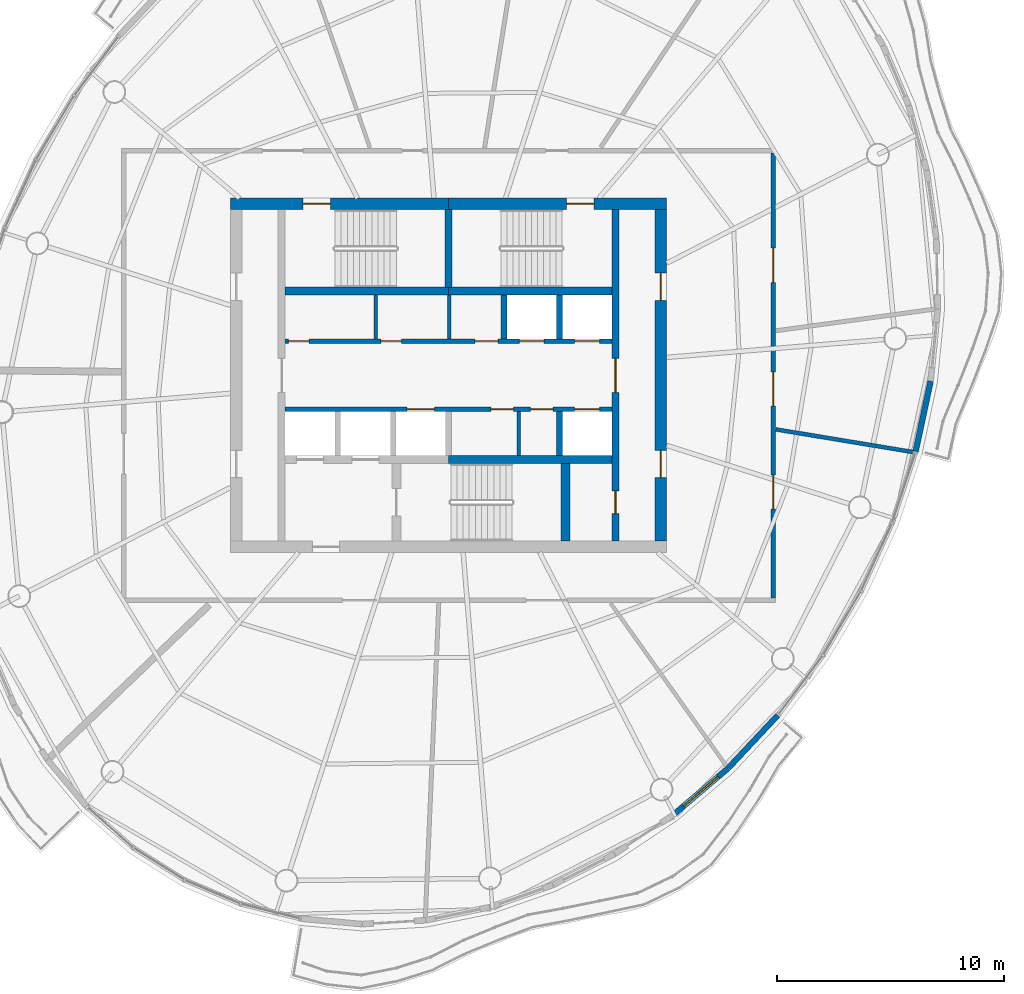
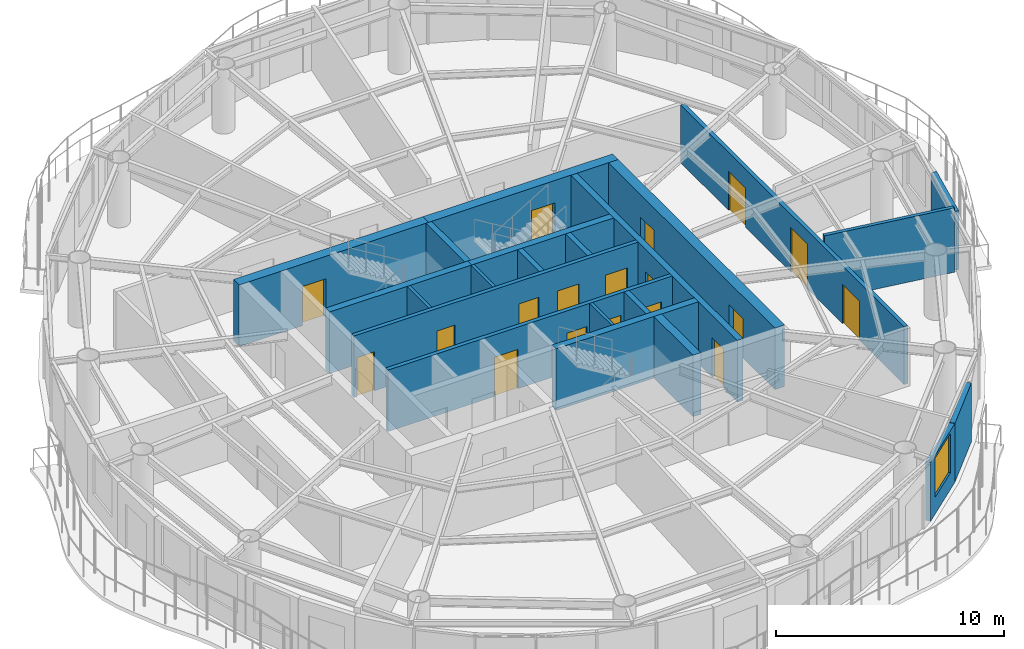
# One storey, part 8 of 13: 22 walls, 18 doors, 1 window, 19 openings.
"""IFC4 building model written with IfcOpenShell, lengths in metres."""

from ifc_helpers import new_model, si_unit, direction, frame, frame_2d, origin, place, context, subcontext, project, spatial, rectangle, extrude, material, layer, layer_set, type_object, element, fill, save


model = new_model("IFC4")

# Units and contexts
model_context = context("Model", 3, precision=1e-05, world=origin(), true_north=direction((0.0, 1.0)))
body_context = subcontext(model_context, "Body", "Model", "MODEL_VIEW")
ifc_project = project(units=[si_unit("LENGTHUNIT", "METRE"), si_unit("AREAUNIT", "SQUARE_METRE"), si_unit("VOLUMEUNIT", "CUBIC_METRE"), si_unit("PLANEANGLEUNIT", "RADIAN"), si_unit("MASSUNIT", "GRAM", prefix="KILO")], contexts=[model_context])

# Site, building, storey
site_placement = place(None, origin())
site = spatial("IfcSite", under=ifc_project, at=site_placement, CompositionType="ELEMENT")
building_placement = place(site_placement, origin())
building = spatial("IfcBuilding", under=site, at=building_placement, Name="Vermilion Reach Broadcast Tower", CompositionType="ELEMENT")
storey_placement = place(building_placement, frame((0.0, 0.0, 282.89990234375)))
storey = spatial("IfcBuildingStorey", under=building, at=storey_placement, Name="L70", CompositionType="ELEMENT", Elevation=282.89990234375)

# Wall, openings, doors
ifc_material_1 = material(Name="Concrete C50", Category="concrete")
ifc_layer_1 = layer(ifc_material_1, 0.300048828125)
ifc_layer_set_1 = layer_set([ifc_layer_1], Name="Core inner wall 300 mm Concrete C50")
wall_type_1 = type_object("IfcWallType", Name="Core inner wall 300 mm Concrete C50", PredefinedType="SHEAR", material=ifc_layer_set_1)
wall_1_placement = place(storey_placement, frame((1.35009765625, -7.300048828125, 0.0), z_axis=(0.0, 0.0, 1.0), x_axis=(0.0, 1.0, 0.0)))
wall_1 = element("IfcWall", 1, at=wall_1_placement, inside=storey, type_object=wall_type_1, Name="L70 core wall ewE", PredefinedType="SHEAR", context=body_context, shape_type="SweptSolid", body=[
    extrude(rectangle(XDim=14.60009765625, YDim=0.300048828125, at=frame_2d((7.300048828125, 0.0))), origin(), (0.0, 0.0, 1.0), 3.300048828125),
])
opening_1_placement = place(wall_1_placement, frame((1.2099609375, 0.0, 0.0)))
opening_1 = element("IfcOpeningElement", 2, at=opening_1_placement, cuts=wall_1, Name="Opening D05", PredefinedType="OPENING", context=body_context, shape_type="SweptSolid", body=[
    extrude(rectangle(XDim=1.0, YDim=2.10009765625, at=frame_2d((0.5, 1.050048828125))), frame((0.0, 0.159912109375, 0.0), z_axis=(0.0, -1.0, 0.0), x_axis=(1.0, 0.0, 0.0)), (0.0, 0.0, 1.0), 0.320068359375),
])
opening_2_placement = place(wall_1_placement, frame((6.550048828125, 0.0, 0.0)))
opening_2 = element("IfcOpeningElement", 3, at=opening_2_placement, cuts=wall_1, Name="Opening D04", PredefinedType="OPENING", context=body_context, shape_type="SweptSolid", body=[
    extrude(rectangle(XDim=1.5, YDim=2.10009765625, at=frame_2d((0.75, 1.050048828125))), frame((0.0, 0.159912109375, 0.0), z_axis=(0.0, -1.0, 0.0), x_axis=(1.0, 0.0, 0.0)), (0.0, 0.0, 1.0), 0.320068359375),
])
ifc_material_2 = material(Name="Painted steel fire door", Category="steel")
door_type_1 = type_object("IfcDoorType", Name="Lift lobby door 1500 x 2100", OperationType="DOUBLE_DOOR_SINGLE_SWING", PredefinedType="NOTDEFINED", material=ifc_material_2)
door_1_placement = place(opening_2_placement, origin())
door_1 = element("IfcDoor", 4, at=door_1_placement, inside=storey, type_object=door_type_1, Name="L70 band door BE", OperationType="DOUBLE_DOOR_SINGLE_SWING", OverallHeight=2.10009765625, OverallWidth=1.5, PredefinedType="NOTDEFINED", context=body_context, shape_type="SweptSolid", body=[
    extrude(rectangle(XDim=1.5, YDim=2.10009765625, at=frame_2d((0.75, 1.050048828125))), frame((0.0, 0.02490234375, 0.0), z_axis=(0.0, -1.0, 0.0), x_axis=(1.0, 0.0, 0.0)), (0.0, 0.0, 1.0), 0.050048828125),
])
fill(opening_2, door_1)
ifc_material_3 = material(Name="Timber door", Category="wood")
door_type_2 = type_object("IfcDoorType", Name="Room door 1000 x 2100", OperationType="NOTDEFINED", PredefinedType="NOTDEFINED", material=ifc_material_3)
door_2_placement = place(opening_1_placement, origin())
door_2 = element("IfcDoor", 5, at=door_2_placement, inside=storey, type_object=door_type_2, Name="L70 door SER", OperationType="SINGLE_SWING_LEFT", OverallHeight=2.10009765625, OverallWidth=1.0, PredefinedType="NOTDEFINED", context=body_context, shape_type="SweptSolid", body=[
    extrude(rectangle(XDim=1.0, YDim=2.10009765625, at=frame_2d((0.5, 1.050048828125))), frame((0.0, 0.02490234375, 0.0), z_axis=(0.0, -1.0, 0.0), x_axis=(1.0, 0.0, 0.0)), (0.0, 0.0, 1.0), 0.050048828125),
])
fill(opening_1, door_2)

# Walls
wall_2_placement = place(storey_placement, frame((-6.0, 3.8798828125, 0.0), z_axis=(0.0, 0.0, 1.0), x_axis=(0.0, 1.0, 0.0)))
element("IfcWall", 6, at=wall_2_placement, inside=storey, type_object=wall_type_1, Name="L70 core wall wc", PredefinedType="SHEAR", context=body_context, shape_type="SweptSolid", body=[
    extrude(rectangle(XDim=3.420166015625, YDim=0.300048828125, at=frame_2d((1.7099609375, 0.0))), origin(), (0.0, 0.0, 1.0), 3.300048828125),
])
ifc_material_4 = material(Name="Concrete C50", Category="concrete")
ifc_layer_2 = layer(ifc_material_4, 0.35009765625)
ifc_layer_set_2 = layer_set([ifc_layer_2], Name="Core inner wall 350 mm Concrete C50")
wall_type_2 = type_object("IfcWallType", Name="Core inner wall 350 mm Concrete C50", PredefinedType="SHEAR", material=ifc_layer_set_2)
for number, where, z_axis, x_axis, name in (
    (7, (-13.199951171875, 3.705078125, 0.0), (0.0, 0.0, 1.0), (1.0, 0.0, 0.0), "L70 core wall winW"),
    (8, (-6.0, 3.705078125, 0.0), (0.0, 0.0, 1.0), (1.0, 0.0, 0.0), "L70 core wall winE"),
    (9, (-6.0, -3.705078125, 0.0), (0.0, 0.0, 1.0), (1.0, 0.0, 0.0), "L70 core wall wisE"),
):
    element("IfcWall", number, at=place(storey_placement, frame(where, z_axis=z_axis, x_axis=x_axis)), inside=storey, type_object=wall_type_2, Name=name, PredefinedType="SHEAR", context=body_context, shape_type="SweptSolid", body=[
        extrude(rectangle(XDim=7.199951171875, YDim=0.35009765625, at=frame_2d((3.60009765625, 0.0))), origin(), (0.0, 0.0, 1.0), 3.300048828125),
    ])
ifc_material_5 = material(Name="Concrete C50", Category="concrete")
ifc_layer_3 = layer(ifc_material_5, 0.39990234375)
ifc_layer_set_3 = layer_set([ifc_layer_3], Name="Core inner wall 400 mm Concrete C50")
wall_type_3 = type_object("IfcWallType", Name="Core inner wall 400 mm Concrete C50", PredefinedType="SHEAR", material=ifc_layer_set_3)
wall_3_placement = place(storey_placement, frame((-0.85009765625, -3.8798828125, 0.0), z_axis=(0.0, 0.0, 1.0), x_axis=(0.0, -1.0, 0.0)))
element("IfcWall", 10, at=wall_3_placement, inside=storey, type_object=wall_type_3, Name="L70 core wall wb", PredefinedType="SHEAR", context=body_context, shape_type="SweptSolid", body=[
    extrude(rectangle(XDim=3.420166015625, YDim=0.39990234375, at=frame_2d((1.7099609375, 0.0))), origin(), (0.0, 0.0, 1.0), 3.300048828125),
])

# Wall, opening, door
ifc_material_6 = material(Name="Concrete C50", Category="concrete")
ifc_layer_4 = layer(ifc_material_6, 0.5)
ifc_layer_set_4 = layer_set([ifc_layer_4], Name="Core outer wall 500 mm Concrete C50")
wall_type_4 = type_object("IfcWallType", Name="Core outer wall 500 mm Concrete C50", PredefinedType="SHEAR", material=ifc_layer_set_4)
wall_4_placement = place(storey_placement, frame((3.60009765625, 7.550048828125, 0.0), z_axis=(0.0, 0.0, 1.0), x_axis=(-1.0, 0.0, 0.0)))
wall_4 = element("IfcWall", 11, at=wall_4_placement, inside=storey, type_object=wall_type_4, Name="L70 core wall onE", PredefinedType="SHEAR", context=body_context, shape_type="SweptSolid", body=[
    extrude(rectangle(XDim=9.60009765625, YDim=0.5, at=frame_2d((4.800048828125, 0.0))), origin(), (0.0, 0.0, 1.0), 3.300048828125),
])
opening_3_placement = place(wall_4_placement, frame((3.199951171875, 0.0, 0.0)))
opening_3 = element("IfcOpeningElement", 12, at=opening_3_placement, cuts=wall_4, Name="Opening D01", PredefinedType="OPENING", context=body_context, shape_type="SweptSolid", body=[
    extrude(rectangle(XDim=1.199951171875, YDim=2.10009765625, at=frame_2d((0.60009765625, 1.050048828125))), frame((0.0, 0.260009765625, 0.0), z_axis=(0.0, -1.0, 0.0), x_axis=(1.0, 0.0, 0.0)), (0.0, 0.0, 1.0), 0.52001953125),
])
ifc_material_7 = material(Name="Painted steel fire door", Category="steel")
door_type_3 = type_object("IfcDoorType", Name="Stair door 1200 x 2100", OperationType="DOUBLE_DOOR_SINGLE_SWING", PredefinedType="NOTDEFINED", material=ifc_material_7)
door_3_placement = place(opening_3_placement, origin())
door_3 = element("IfcDoor", 13, at=door_3_placement, inside=storey, type_object=door_type_3, Name="L70 stair door ST2", OperationType="DOUBLE_DOOR_SINGLE_SWING", OverallHeight=2.10009765625, OverallWidth=1.199951171875, PredefinedType="NOTDEFINED", context=body_context, shape_type="SweptSolid", body=[
    extrude(rectangle(XDim=1.199951171875, YDim=2.10009765625, at=frame_2d((0.60009765625, 1.050048828125))), frame((0.0, 0.02490234375, 0.0), z_axis=(0.0, -1.0, 0.0), x_axis=(1.0, 0.0, 0.0)), (0.0, 0.0, 1.0), 0.050048828125),
])
fill(opening_3, door_3)

wall_5_placement = place(storey_placement, frame((-6.0, 7.550048828125, 0.0), z_axis=(0.0, 0.0, 1.0), x_axis=(-1.0, 0.0, 0.0)))
wall_5 = element("IfcWall", 14, at=wall_5_placement, inside=storey, type_object=wall_type_4, Name="L70 core wall onW", PredefinedType="SHEAR", context=body_context, shape_type="SweptSolid", body=[
    extrude(rectangle(XDim=9.60009765625, YDim=0.5, at=frame_2d((4.800048828125, 0.0))), origin(), (0.0, 0.0, 1.0), 3.300048828125),
])
opening_4_placement = place(wall_5_placement, frame((5.199951171875, 0.0, 0.0)))
opening_4 = element("IfcOpeningElement", 15, at=opening_4_placement, cuts=wall_5, Name="Opening D01", PredefinedType="OPENING", context=body_context, shape_type="SweptSolid", body=[
    extrude(rectangle(XDim=1.199951171875, YDim=2.10009765625, at=frame_2d((0.60009765625, 1.050048828125))), frame((0.0, 0.260009765625, 0.0), z_axis=(0.0, -1.0, 0.0), x_axis=(1.0, 0.0, 0.0)), (0.0, 0.0, 1.0), 0.52001953125),
])
door_4_placement = place(opening_4_placement, origin())
door_4 = element("IfcDoor", 16, at=door_4_placement, inside=storey, type_object=door_type_3, Name="L70 stair door ST1", OperationType="DOUBLE_DOOR_SINGLE_SWING", OverallHeight=2.10009765625, OverallWidth=1.199951171875, PredefinedType="NOTDEFINED", context=body_context, shape_type="SweptSolid", body=[
    extrude(rectangle(XDim=1.199951171875, YDim=2.10009765625, at=frame_2d((0.60009765625, 1.050048828125))), frame((0.0, 0.02490234375, 0.0), z_axis=(0.0, -1.0, 0.0), x_axis=(1.0, 0.0, 0.0)), (0.0, 0.0, 1.0), 0.050048828125),
])
fill(opening_4, door_4)

# Wall, openings, doors
wall_6_placement = place(storey_placement, frame((3.35009765625, -7.300048828125, 0.0), z_axis=(0.0, 0.0, 1.0), x_axis=(0.0, 1.0, 0.0)))
wall_6 = element("IfcWall", 17, at=wall_6_placement, inside=storey, type_object=wall_type_4, Name="L70 core wall oe", PredefinedType="SHEAR", context=body_context, shape_type="SweptSolid", body=[
    extrude(rectangle(XDim=14.60009765625, YDim=0.5, at=frame_2d((7.300048828125, 0.0))), origin(), (0.0, 0.0, 1.0), 3.300048828125),
])
opening_5_placement = place(wall_6_placement, frame((2.800048828125, 0.0, 0.0)))
opening_5 = element("IfcOpeningElement", 18, at=opening_5_placement, cuts=wall_6, Name="Opening D03", PredefinedType="OPENING", context=body_context, shape_type="SweptSolid", body=[
    extrude(rectangle(XDim=1.199951171875, YDim=2.10009765625, at=frame_2d((0.60009765625, 1.050048828125))), frame((0.0, 0.260009765625, 0.0), z_axis=(0.0, -1.0, 0.0), x_axis=(1.0, 0.0, 0.0)), (0.0, 0.0, 1.0), 0.52001953125),
])
opening_6_placement = place(wall_6_placement, frame((10.60009765625, 0.0, 0.0)))
opening_6 = element("IfcOpeningElement", 19, at=opening_6_placement, cuts=wall_6, Name="Opening D03", PredefinedType="OPENING", context=body_context, shape_type="SweptSolid", body=[
    extrude(rectangle(XDim=1.199951171875, YDim=2.10009765625, at=frame_2d((0.60009765625, 1.050048828125))), frame((0.0, 0.260009765625, 0.0), z_axis=(0.0, -1.0, 0.0), x_axis=(1.0, 0.0, 0.0)), (0.0, 0.0, 1.0), 0.52001953125),
])
ifc_material_8 = material(Name="Painted steel fire door", Category="steel")
door_type_4 = type_object("IfcDoorType", Name="Core lobby door 1200 x 2100", OperationType="DOUBLE_DOOR_SINGLE_SWING", PredefinedType="NOTDEFINED", material=ifc_material_8)
door_5_placement = place(opening_5_placement, origin())
door_5 = element("IfcDoor", 20, at=door_5_placement, inside=storey, type_object=door_type_4, Name="L70 slot door E0", OperationType="DOUBLE_DOOR_SINGLE_SWING", OverallHeight=2.10009765625, OverallWidth=1.199951171875, PredefinedType="NOTDEFINED", context=body_context, shape_type="SweptSolid", body=[
    extrude(rectangle(XDim=1.199951171875, YDim=2.10009765625, at=frame_2d((0.60009765625, 1.050048828125))), frame((0.0, 0.02490234375, 0.0), z_axis=(0.0, -1.0, 0.0), x_axis=(1.0, 0.0, 0.0)), (0.0, 0.0, 1.0), 0.050048828125),
])
fill(opening_5, door_5)
door_6_placement = place(opening_6_placement, origin())
door_6 = element("IfcDoor", 21, at=door_6_placement, inside=storey, type_object=door_type_4, Name="L70 slot door E1", OperationType="DOUBLE_DOOR_SINGLE_SWING", OverallHeight=2.10009765625, OverallWidth=1.199951171875, PredefinedType="NOTDEFINED", context=body_context, shape_type="SweptSolid", body=[
    extrude(rectangle(XDim=1.199951171875, YDim=2.10009765625, at=frame_2d((0.60009765625, 1.050048828125))), frame((0.0, 0.02490234375, 0.0), z_axis=(0.0, -1.0, 0.0), x_axis=(1.0, 0.0, 0.0)), (0.0, 0.0, 1.0), 0.050048828125),
])
fill(opening_6, door_6)

# Walls
ifc_material_9 = material(Name="Masonry block", Category="masonry")
ifc_layer_5 = layer(ifc_material_9, 0.14990234375)
ifc_layer_set_5 = layer_set([ifc_layer_5], Name="Core partition wall 150 mm Masonry block")
wall_type_5 = type_object("IfcWallType", Name="Core partition wall 150 mm Masonry block", PredefinedType="PARTITIONING", material=ifc_layer_set_5)
for number, where, z_axis, x_axis, name in (
    (22, (-9.202880859375, 1.60009765625, 0.0), (0.0, 0.0, 1.0), (0.0, 1.0, 0.0), "L70 core wall prN-3203"),
    (23, (-5.96728515625, 1.60009765625, 0.0), (0.0, 0.0, 1.0), (0.0, 1.0, 0.0), "L70 core wall prN33"),
    (24, (-2.90966796875, -1.60009765625, 0.0), (0.0, 0.0, 1.0), (0.0, -1.0, 0.0), "L70 core wall prS3090"),
):
    element("IfcWall", number, at=place(storey_placement, frame(where, z_axis=z_axis, x_axis=x_axis)), inside=storey, type_object=wall_type_5, Name=name, PredefinedType="PARTITIONING", context=body_context, shape_type="SweptSolid", body=[
        extrude(rectangle(XDim=1.929931640625, YDim=0.14990234375, at=frame_2d((0.96484375, 0.0))), origin(), (0.0, 0.0, 1.0), 3.300048828125),
    ])

# Wall, openings, doors
ifc_material_10 = material(Name="Concrete C50", Category="concrete")
ifc_layer_6 = layer(ifc_material_10, 0.199951171875)
ifc_layer_set_6 = layer_set([ifc_layer_6], Name="Core shaft wall 200 mm Concrete C50")
wall_type_6 = type_object("IfcWallType", Name="Core shaft wall 200 mm Concrete C50", PredefinedType="SHEAR", material=ifc_layer_set_6)
wall_7_placement = place(storey_placement, frame((-13.199951171875, 1.5, 0.0), z_axis=(0.0, 0.0, 1.0), x_axis=(1.0, 0.0, 0.0)))
wall_7 = element("IfcWall", 25, at=wall_7_placement, inside=storey, type_object=wall_type_6, Name="L70 core wall fn", PredefinedType="SHEAR", context=body_context, shape_type="SweptSolid", body=[
    extrude(rectangle(XDim=14.39990234375, YDim=0.199951171875, at=frame_2d((7.199951171875, 0.0))), origin(), (0.0, 0.0, 1.0), 3.300048828125),
])
opening_7_placement = place(wall_7_placement, frame((10.3125, 0.0, 0.0)))
opening_7 = element("IfcOpeningElement", 26, at=opening_7_placement, cuts=wall_7, Name="Opening LD2", PredefinedType="OPENING", context=body_context, shape_type="SweptSolid", body=[
    extrude(rectangle(XDim=1.10009765625, YDim=2.10009765625, at=frame_2d((0.550048828125, 1.050048828125))), frame((0.0, 0.10986328125, 0.0), z_axis=(0.0, -1.0, 0.0), x_axis=(1.0, 0.0, 0.0)), (0.0, 0.0, 1.0), 0.219970703125),
])
opening_8_placement = place(wall_7_placement, frame((12.754150390625, 0.0, 0.0)))
opening_8 = element("IfcOpeningElement", 27, at=opening_8_placement, cuts=wall_7, Name="Opening LD2", PredefinedType="OPENING", context=body_context, shape_type="SweptSolid", body=[
    extrude(rectangle(XDim=1.10009765625, YDim=2.10009765625, at=frame_2d((0.550048828125, 1.050048828125))), frame((0.0, 0.10986328125, 0.0), z_axis=(0.0, -1.0, 0.0), x_axis=(1.0, 0.0, 0.0)), (0.0, 0.0, 1.0), 0.219970703125),
])
opening_9_placement = place(wall_7_placement, frame((0.14990234375, 0.0, 0.0)))
opening_9 = element("IfcOpeningElement", 28, at=opening_9_placement, cuts=wall_7, Name="Opening D06", PredefinedType="OPENING", context=body_context, shape_type="SweptSolid", body=[
    extrude(rectangle(XDim=0.89990234375, YDim=2.10009765625, at=frame_2d((0.449951171875, 1.050048828125))), frame((0.0, 0.10986328125, 0.0), z_axis=(0.0, -1.0, 0.0), x_axis=(1.0, 0.0, 0.0)), (0.0, 0.0, 1.0), 0.219970703125),
])
opening_10_placement = place(wall_7_placement, frame((4.221923828125, 0.0, 0.0)))
opening_10 = element("IfcOpeningElement", 29, at=opening_10_placement, cuts=wall_7, Name="Opening D06", PredefinedType="OPENING", context=body_context, shape_type="SweptSolid", body=[
    extrude(rectangle(XDim=0.89990234375, YDim=2.10009765625, at=frame_2d((0.449951171875, 1.050048828125))), frame((0.0, 0.10986328125, 0.0), z_axis=(0.0, -1.0, 0.0), x_axis=(1.0, 0.0, 0.0)), (0.0, 0.0, 1.0), 0.219970703125),
])
opening_11_placement = place(wall_7_placement, frame((8.36669921875, 0.0, 0.0)))
opening_11 = element("IfcOpeningElement", 30, at=opening_11_placement, cuts=wall_7, Name="Opening D10", PredefinedType="OPENING", context=body_context, shape_type="SweptSolid", body=[
    extrude(rectangle(XDim=1.0, YDim=2.10009765625, at=frame_2d((0.5, 1.050048828125))), frame((0.0, 0.10986328125, 0.0), z_axis=(0.0, -1.0, 0.0), x_axis=(1.0, 0.0, 0.0)), (0.0, 0.0, 1.0), 0.219970703125),
])
ifc_material_11 = material(Name="Stainless steel", Category="steel")
door_type_5 = type_object("IfcDoorType", Name="Landing door 1100 x 2100", OperationType="DOUBLE_DOOR_SLIDING", PredefinedType="NOTDEFINED", material=ifc_material_11)
door_7_placement = place(opening_7_placement, origin())
door_7 = element("IfcDoor", 31, at=door_7_placement, inside=storey, type_object=door_type_5, Name="L70 landing door HR1", OperationType="DOUBLE_DOOR_SLIDING", OverallHeight=2.10009765625, OverallWidth=1.10009765625, PredefinedType="NOTDEFINED", context=body_context, shape_type="SweptSolid", body=[
    extrude(rectangle(XDim=1.10009765625, YDim=2.10009765625, at=frame_2d((0.550048828125, 1.050048828125))), frame((0.0, 0.02490234375, 0.0), z_axis=(0.0, -1.0, 0.0), x_axis=(1.0, 0.0, 0.0)), (0.0, 0.0, 1.0), 0.050048828125),
])
fill(opening_7, door_7)
door_8_placement = place(opening_8_placement, origin())
door_8 = element("IfcDoor", 32, at=door_8_placement, inside=storey, type_object=door_type_5, Name="L70 landing door HR2", OperationType="DOUBLE_DOOR_SLIDING", OverallHeight=2.10009765625, OverallWidth=1.10009765625, PredefinedType="NOTDEFINED", context=body_context, shape_type="SweptSolid", body=[
    extrude(rectangle(XDim=1.10009765625, YDim=2.10009765625, at=frame_2d((0.550048828125, 1.050048828125))), frame((0.0, 0.02490234375, 0.0), z_axis=(0.0, -1.0, 0.0), x_axis=(1.0, 0.0, 0.0)), (0.0, 0.0, 1.0), 0.050048828125),
])
fill(opening_8, door_8)
ifc_material_12 = material(Name="Timber door", Category="wood")
door_type_6 = type_object("IfcDoorType", Name="WC door 900 x 2100", OperationType="NOTDEFINED", PredefinedType="NOTDEFINED", material=ifc_material_12)
door_9_placement = place(opening_9_placement, origin())
door_9 = element("IfcDoor", 33, at=door_9_placement, inside=storey, type_object=door_type_6, Name="L70 door Female WC", OperationType="SINGLE_SWING_LEFT", OverallHeight=2.10009765625, OverallWidth=0.89990234375, PredefinedType="NOTDEFINED", context=body_context, shape_type="SweptSolid", body=[
    extrude(rectangle(XDim=0.89990234375, YDim=2.10009765625, at=frame_2d((0.449951171875, 1.050048828125))), frame((0.0, 0.02490234375, 0.0), z_axis=(0.0, -1.0, 0.0), x_axis=(1.0, 0.0, 0.0)), (0.0, 0.0, 1.0), 0.050048828125),
])
fill(opening_9, door_9)
door_10_placement = place(opening_10_placement, origin())
door_10 = element("IfcDoor", 34, at=door_10_placement, inside=storey, type_object=door_type_6, Name="L70 door Male WC", OperationType="SINGLE_SWING_LEFT", OverallHeight=2.10009765625, OverallWidth=0.89990234375, PredefinedType="NOTDEFINED", context=body_context, shape_type="SweptSolid", body=[
    extrude(rectangle(XDim=0.89990234375, YDim=2.10009765625, at=frame_2d((0.449951171875, 1.050048828125))), frame((0.0, 0.02490234375, 0.0), z_axis=(0.0, -1.0, 0.0), x_axis=(1.0, 0.0, 0.0)), (0.0, 0.0, 1.0), 0.050048828125),
])
fill(opening_10, door_10)
ifc_material_13 = material(Name="Timber door", Category="wood")
door_type_7 = type_object("IfcDoorType", Name="WC lobby door 1000 x 2100", OperationType="NOTDEFINED", PredefinedType="NOTDEFINED", material=ifc_material_13)
door_11_placement = place(opening_11_placement, origin())
door_11 = element("IfcDoor", 35, at=door_11_placement, inside=storey, type_object=door_type_7, Name="L70 door WC lobby", OperationType="SINGLE_SWING_RIGHT", OverallHeight=2.10009765625, OverallWidth=1.0, PredefinedType="NOTDEFINED", context=body_context, shape_type="SweptSolid", body=[
    extrude(rectangle(XDim=1.0, YDim=2.10009765625, at=frame_2d((0.5, 1.050048828125))), frame((0.0, 0.02490234375, 0.0), z_axis=(0.0, -1.0, 0.0), x_axis=(1.0, 0.0, 0.0)), (0.0, 0.0, 1.0), 0.050048828125),
])
fill(opening_11, door_11)

wall_8_placement = place(storey_placement, frame((1.199951171875, -1.5, 0.0), z_axis=(0.0, 0.0, 1.0), x_axis=(-1.0, 0.0, 0.0)))
wall_8 = element("IfcWall", 36, at=wall_8_placement, inside=storey, type_object=wall_type_6, Name="L70 core wall fs", PredefinedType="SHEAR", context=body_context, shape_type="SweptSolid", body=[
    extrude(rectangle(XDim=14.39990234375, YDim=0.199951171875, at=frame_2d((7.199951171875, 0.0))), origin(), (0.0, 0.0, 1.0), 3.300048828125),
])
opening_12_placement = place(wall_8_placement, frame((7.82080078125, 0.0, 0.0)))
opening_12 = element("IfcOpeningElement", 37, at=opening_12_placement, cuts=wall_8, Name="Opening LD1", PredefinedType="OPENING", context=body_context, shape_type="SweptSolid", body=[
    extrude(rectangle(XDim=1.199951171875, YDim=2.10009765625, at=frame_2d((0.60009765625, 1.050048828125))), frame((0.0, 0.10986328125, 0.0), z_axis=(0.0, -1.0, 0.0), x_axis=(1.0, 0.0, 0.0)), (0.0, 0.0, 1.0), 0.219970703125),
])
opening_13_placement = place(wall_8_placement, frame((0.5458984375, 0.0, 0.0)))
opening_13 = element("IfcOpeningElement", 38, at=opening_13_placement, cuts=wall_8, Name="Opening LD2", PredefinedType="OPENING", context=body_context, shape_type="SweptSolid", body=[
    extrude(rectangle(XDim=1.10009765625, YDim=2.10009765625, at=frame_2d((0.550048828125, 1.050048828125))), frame((0.0, 0.10986328125, 0.0), z_axis=(0.0, -1.0, 0.0), x_axis=(1.0, 0.0, 0.0)), (0.0, 0.0, 1.0), 0.219970703125),
])
opening_14_placement = place(wall_8_placement, frame((4.334716796875, 0.0, 0.0)))
opening_14 = element("IfcOpeningElement", 39, at=opening_14_placement, cuts=wall_8, Name="Opening D07", PredefinedType="OPENING", context=body_context, shape_type="SweptSolid", body=[
    extrude(rectangle(XDim=1.0, YDim=2.10009765625, at=frame_2d((0.5, 1.050048828125))), frame((0.0, 0.10986328125, 0.0), z_axis=(0.0, -1.0, 0.0), x_axis=(1.0, 0.0, 0.0)), (0.0, 0.0, 1.0), 0.219970703125),
])
opening_15_placement = place(wall_8_placement, frame((2.591552734375, 0.0, 0.0)))
opening_15 = element("IfcOpeningElement", 40, at=opening_15_placement, cuts=wall_8, Name="Opening D11", PredefinedType="OPENING", context=body_context, shape_type="SweptSolid", body=[
    extrude(rectangle(XDim=1.0, YDim=2.10009765625, at=frame_2d((0.5, 1.050048828125))), frame((0.0, 0.10986328125, 0.0), z_axis=(0.0, -1.0, 0.0), x_axis=(1.0, 0.0, 0.0)), (0.0, 0.0, 1.0), 0.219970703125),
])
ifc_material_14 = material(Name="Timber door", Category="wood")
door_type_8 = type_object("IfcDoorType", Name="Accessible WC door 1000 x 2100", OperationType="NOTDEFINED", PredefinedType="NOTDEFINED", material=ifc_material_14)
door_12_placement = place(opening_14_placement, origin())
door_12 = element("IfcDoor", 41, at=door_12_placement, inside=storey, type_object=door_type_8, Name="L70 door Accessible WC", OperationType="SINGLE_SWING_LEFT", OverallHeight=2.10009765625, OverallWidth=1.0, PredefinedType="NOTDEFINED", context=body_context, shape_type="SweptSolid", body=[
    extrude(rectangle(XDim=1.0, YDim=2.10009765625, at=frame_2d((0.5, 1.050048828125))), frame((0.0, 0.02490234375, 0.0), z_axis=(0.0, -1.0, 0.0), x_axis=(1.0, 0.0, 0.0)), (0.0, 0.0, 1.0), 0.050048828125),
])
fill(opening_14, door_12)
door_13_placement = place(opening_13_placement, origin())
door_13 = element("IfcDoor", 42, at=door_13_placement, inside=storey, type_object=door_type_5, Name="L70 landing door HR3", OperationType="DOUBLE_DOOR_SLIDING", OverallHeight=2.10009765625, OverallWidth=1.10009765625, PredefinedType="NOTDEFINED", context=body_context, shape_type="SweptSolid", body=[
    extrude(rectangle(XDim=1.10009765625, YDim=2.10009765625, at=frame_2d((0.550048828125, 1.050048828125))), frame((0.0, 0.02490234375, 0.0), z_axis=(0.0, -1.0, 0.0), x_axis=(1.0, 0.0, 0.0)), (0.0, 0.0, 1.0), 0.050048828125),
])
fill(opening_13, door_13)
ifc_material_15 = material(Name="Stainless steel", Category="steel")
door_type_9 = type_object("IfcDoorType", Name="Landing door 1200 x 2100", OperationType="DOUBLE_DOOR_SLIDING", PredefinedType="NOTDEFINED", material=ifc_material_15)
door_14_placement = place(opening_12_placement, origin())
door_14 = element("IfcDoor", 43, at=door_14_placement, inside=storey, type_object=door_type_9, Name="L70 landing door SV1", OperationType="DOUBLE_DOOR_SLIDING", OverallHeight=2.10009765625, OverallWidth=1.199951171875, PredefinedType="NOTDEFINED", context=body_context, shape_type="SweptSolid", body=[
    extrude(rectangle(XDim=1.199951171875, YDim=2.10009765625, at=frame_2d((0.60009765625, 1.050048828125))), frame((0.0, 0.02490234375, 0.0), z_axis=(0.0, -1.0, 0.0), x_axis=(1.0, 0.0, 0.0)), (0.0, 0.0, 1.0), 0.050048828125),
])
fill(opening_12, door_14)
ifc_material_16 = material(Name="Painted steel fire door", Category="steel")
door_type_10 = type_object("IfcDoorType", Name="Services room door 1000 x 2100", OperationType="NOTDEFINED", PredefinedType="NOTDEFINED", material=ifc_material_16)
door_15_placement = place(opening_15_placement, origin())
door_15 = element("IfcDoor", 44, at=door_15_placement, inside=storey, type_object=door_type_10, Name="L70 door Electrical room", OperationType="SINGLE_SWING_LEFT", OverallHeight=2.10009765625, OverallWidth=1.0, PredefinedType="NOTDEFINED", context=body_context, shape_type="SweptSolid", body=[
    extrude(rectangle(XDim=1.0, YDim=2.10009765625, at=frame_2d((0.5, 1.050048828125))), frame((0.0, 0.02490234375, 0.0), z_axis=(0.0, -1.0, 0.0), x_axis=(1.0, 0.0, 0.0)), (0.0, 0.0, 1.0), 0.050048828125),
])
fill(opening_15, door_15)

# Walls
ifc_material_17 = material(Name="Concrete C50", Category="concrete")
ifc_layer_7 = layer(ifc_material_17, 0.25)
ifc_layer_set_7 = layer_set([ifc_layer_7], Name="Core shaft wall 250 mm Concrete C50")
wall_type_7 = type_object("IfcWallType", Name="Core shaft wall 250 mm Concrete C50", PredefinedType="SHEAR", material=ifc_layer_set_7)
for number, where, z_axis, x_axis, name in (
    (45, (-3.558349609375, 1.60009765625, 0.0), (0.0, 0.0, 1.0), (0.0, 1.0, 0.0), "L70 core wall psN3"),
    (46, (-1.11669921875, 1.60009765625, 0.0), (0.0, 0.0, 1.0), (0.0, 1.0, 0.0), "L70 core wall psN4"),
    (47, (-1.11669921875, -1.60009765625, 0.0), (0.0, 0.0, 1.0), (0.0, -1.0, 0.0), "L70 core wall psS4"),
):
    element("IfcWall", number, at=place(storey_placement, frame(where, z_axis=z_axis, x_axis=x_axis)), inside=storey, type_object=wall_type_7, Name=name, PredefinedType="SHEAR", context=body_context, shape_type="SweptSolid", body=[
        extrude(rectangle(XDim=1.929931640625, YDim=0.25, at=frame_2d((0.96484375, 0.0))), origin(), (0.0, 0.0, 1.0), 3.300048828125),
    ])
ifc_material_18 = material(Name="Fire-rated block, plastered")
ifc_layer_8 = layer(ifc_material_18, 0.175048828125)
ifc_layer_set_8 = layer_set([ifc_layer_8], Name="Partition 175 fire-rated block")
wall_type_8 = type_object("IfcWallType", Name="Partition 175 fire-rated block", PredefinedType="PARTITIONING", material=ifc_layer_set_8)
wall_9_placement = place(storey_placement, frame((14.43212890625, -3.37353515625, 0.0), z_axis=(0.0, 0.0, 1.0), x_axis=(-0.986640542302, 0.162912369961, 0.0)))
element("IfcWall", 48, at=wall_9_placement, inside=storey, type_object=wall_type_8, Name="Partition 70.07", PredefinedType="PARTITIONING", context=body_context, shape_type="SweptSolid", body=[
    extrude(rectangle(XDim=6.099365234375, YDim=0.175048828125, at=frame_2d((3.0498046875, 0.0))), origin(), (0.0, 0.0, 1.0), 3.4501953125),
])

# Wall, opening, window
ifc_material_19 = material(Name="Terracotta rainscreen cladding", Category="masonry")
ifc_layer_9 = layer(ifc_material_19, 0.25)
ifc_layer_set_9 = layer_set([ifc_layer_9], Name="Terracotta rainscreen wall 250")
wall_type_9 = type_object("IfcWallType", Name="Terracotta rainscreen wall 250", PredefinedType="SOLIDWALL", material=ifc_layer_set_9)
wall_10_placement = place(storey_placement, frame((3.908203125, -19.340087890625, 0.0), z_axis=(0.0, 0.0, 1.0), x_axis=(0.761601165005, 0.64804603653, 0.0)))
wall_10 = element("IfcWall", 49, at=wall_10_placement, inside=storey, type_object=wall_type_9, Name="External wall L70 32", PredefinedType="SOLIDWALL", context=body_context, shape_type="SweptSolid", body=[
    extrude(rectangle(XDim=3.154052734375, YDim=0.25, at=frame_2d((1.5771484375, 0.0))), origin(), (0.0, 0.0, 1.0), 3.150146484375),
])
opening_16_placement = place(wall_10_placement, frame((0.5771484375, 0.0, 0.89990234375)))
opening_16 = element("IfcOpeningElement", 50, at=opening_16_placement, cuts=wall_10, Name="Opening W03", PredefinedType="OPENING", context=body_context, shape_type="SweptSolid", body=[
    extrude(rectangle(XDim=2.0, YDim=2.10009765625, at=frame_2d((1.0, 1.050048828125))), frame((0.0, 0.135009765625, 0.0), z_axis=(0.0, -1.0, 0.0), x_axis=(1.0, 0.0, 0.0)), (0.0, 0.0, 1.0), 0.27001953125),
])
ifc_material_20 = material(Name="Low-e laminated clear glass in aluminium frame", Category="aluminium")
window_type = type_object("IfcWindowType", Name="Punched window 2000 x 2100 sill 900", PartitioningType="SINGLE_PANEL", PredefinedType="WINDOW", material=ifc_material_20)
window_placement = place(opening_16_placement, origin())
window = element("IfcWindow", 51, at=window_placement, inside=storey, type_object=window_type, Name="Window L70 32", OverallHeight=2.10009765625, OverallWidth=2.0, PartitioningType="SINGLE_PANEL", PredefinedType="WINDOW", context=body_context, shape_type="SweptSolid", body=[
    extrude(rectangle(XDim=2.0, YDim=2.10009765625, at=frame_2d((1.0, 1.050048828125))), frame((0.0, 0.030029296875, 0.0), z_axis=(0.0, -1.0, 0.0), x_axis=(1.0, 0.0, 0.0)), (0.0, 0.0, 1.0), 0.06005859375),
])
fill(opening_16, window)

# Walls
for number, where, z_axis, x_axis, name in (
    (52, (6.326416015625, -17.281005859375, 0.0), (0.0, 0.0, 1.0), (0.683771659003, 0.729696045176, 0.0), "External wall L70 33"),
    (53, (14.564453125, -3.3525390625, 0.0), (0.0, 0.0, 1.0), (0.208864865709, 0.977944511653, 0.0), "External wall L70 38"),
):
    element("IfcWall", number, at=place(storey_placement, frame(where, z_axis=z_axis, x_axis=x_axis)), inside=storey, type_object=wall_type_9, Name=name, PredefinedType="SOLIDWALL", context=body_context, shape_type="SweptSolid", body=[
        extrude(rectangle(XDim=3.1630859375, YDim=0.25, at=frame_2d((1.58154296875, 0.0))), origin(), (0.0, 0.0, 1.0), 3.150146484375),
    ])

# Wall, openings, doors
ifc_material_21 = material(Name="Fire-rated gypsum board partition")
ifc_layer_10 = layer(ifc_material_21, 0.199951171875)
ifc_layer_set_10 = layer_set([ifc_layer_10], Name="Under girder: Corridor wall 200 fire-rated")
wall_type_10 = type_object("IfcWallType", Name="Under girder: Corridor wall 200 fire-rated", PredefinedType="PARTITIONING", material=ifc_layer_set_10)
wall_11_placement = place(storey_placement, frame((8.300048828125, 9.800048828125, 0.0), z_axis=(0.0, 0.0, 1.0), x_axis=(0.0, -1.0, 0.0)))
wall_11 = element("IfcWall", 54, at=wall_11_placement, inside=storey, type_object=wall_type_10, Name="Corridor wall 70.E", PredefinedType="PARTITIONING", context=body_context, shape_type="SweptSolid", body=[
    extrude(rectangle(XDim=19.60009765625, YDim=0.199951171875, at=frame_2d((9.800048828125, 0.0))), origin(), (0.0, 0.0, 1.0), 3.10009765625),
])
opening_17_placement = place(wall_11_placement, frame((14.189208984375, 0.0, 0.0)))
opening_17 = element("IfcOpeningElement", 55, at=opening_17_placement, cuts=wall_11, Name="Opening D24", PredefinedType="OPENING", context=body_context, shape_type="SweptSolid", body=[
    extrude(rectangle(XDim=1.5, YDim=2.10009765625, at=frame_2d((0.75, 1.050048828125))), frame((0.0, 0.10986328125, 0.0), z_axis=(0.0, -1.0, 0.0), x_axis=(1.0, 0.0, 0.0)), (0.0, 0.0, 1.0), 0.219970703125),
])
opening_18_placement = place(wall_11_placement, frame((9.650634765625, 0.0, 0.0)))
opening_18 = element("IfcOpeningElement", 56, at=opening_18_placement, cuts=wall_11, Name="Opening D25", PredefinedType="OPENING", context=body_context, shape_type="SweptSolid", body=[
    extrude(rectangle(XDim=1.5, YDim=2.39990234375, at=frame_2d((0.75, 1.199951171875))), frame((0.0, 0.10986328125, 0.0), z_axis=(0.0, -1.0, 0.0), x_axis=(1.0, 0.0, 0.0)), (0.0, 0.0, 1.0), 0.219970703125),
])
opening_19_placement = place(wall_11_placement, frame((4.201416015625, 0.0, 0.0)))
opening_19 = element("IfcOpeningElement", 57, at=opening_19_placement, cuts=wall_11, Name="Opening D24", PredefinedType="OPENING", context=body_context, shape_type="SweptSolid", body=[
    extrude(rectangle(XDim=1.5, YDim=2.10009765625, at=frame_2d((0.75, 1.050048828125))), frame((0.0, 0.10986328125, 0.0), z_axis=(0.0, -1.0, 0.0), x_axis=(1.0, 0.0, 0.0)), (0.0, 0.0, 1.0), 0.219970703125),
])
ifc_material_22 = material(Name="Timber door leaf", Category="wood")
door_type_11 = type_object("IfcDoorType", Name="Door pair 1500x2100", OperationType="NOTDEFINED", PredefinedType="DOOR", material=ifc_material_22)
door_16_placement = place(opening_17_placement, origin())
door_16 = element("IfcDoor", 58, at=door_16_placement, inside=storey, type_object=door_type_11, Name="Door 70.06", OperationType="DOUBLE_DOOR_SINGLE_SWING", OverallHeight=2.10009765625, OverallWidth=1.5, PredefinedType="DOOR", context=body_context, shape_type="SweptSolid", body=[
    extrude(rectangle(XDim=1.5, YDim=2.10009765625, at=frame_2d((0.75, 1.050048828125))), frame((0.0, 0.02490234375, 0.0), z_axis=(0.0, -1.0, 0.0), x_axis=(1.0, 0.0, 0.0)), (0.0, 0.0, 1.0), 0.050048828125),
])
fill(opening_17, door_16)
door_17_placement = place(opening_19_placement, origin())
door_17 = element("IfcDoor", 59, at=door_17_placement, inside=storey, type_object=door_type_11, Name="Door 70.08", OperationType="DOUBLE_DOOR_SINGLE_SWING", OverallHeight=2.10009765625, OverallWidth=1.5, PredefinedType="DOOR", context=body_context, shape_type="SweptSolid", body=[
    extrude(rectangle(XDim=1.5, YDim=2.10009765625, at=frame_2d((0.75, 1.050048828125))), frame((0.0, 0.02490234375, 0.0), z_axis=(0.0, -1.0, 0.0), x_axis=(1.0, 0.0, 0.0)), (0.0, 0.0, 1.0), 0.050048828125),
])
fill(opening_19, door_17)
ifc_material_23 = material(Name="Glazed timber door leaf", Category="wood")
door_type_12 = type_object("IfcDoorType", Name="Door pair 1500x2400", OperationType="NOTDEFINED", PredefinedType="DOOR", material=ifc_material_23)
door_18_placement = place(opening_18_placement, origin())
door_18 = element("IfcDoor", 60, at=door_18_placement, inside=storey, type_object=door_type_12, Name="Door 70.07", OperationType="DOUBLE_DOOR_SINGLE_SWING", OverallHeight=2.39990234375, OverallWidth=1.5, PredefinedType="DOOR", context=body_context, shape_type="SweptSolid", body=[
    extrude(rectangle(XDim=1.5, YDim=2.39990234375, at=frame_2d((0.75, 1.199951171875))), frame((0.0, 0.02490234375, 0.0), z_axis=(0.0, -1.0, 0.0), x_axis=(1.0, 0.0, 0.0)), (0.0, 0.0, 1.0), 0.050048828125),
])
fill(opening_18, door_18)

save(model, "model.ifc")
